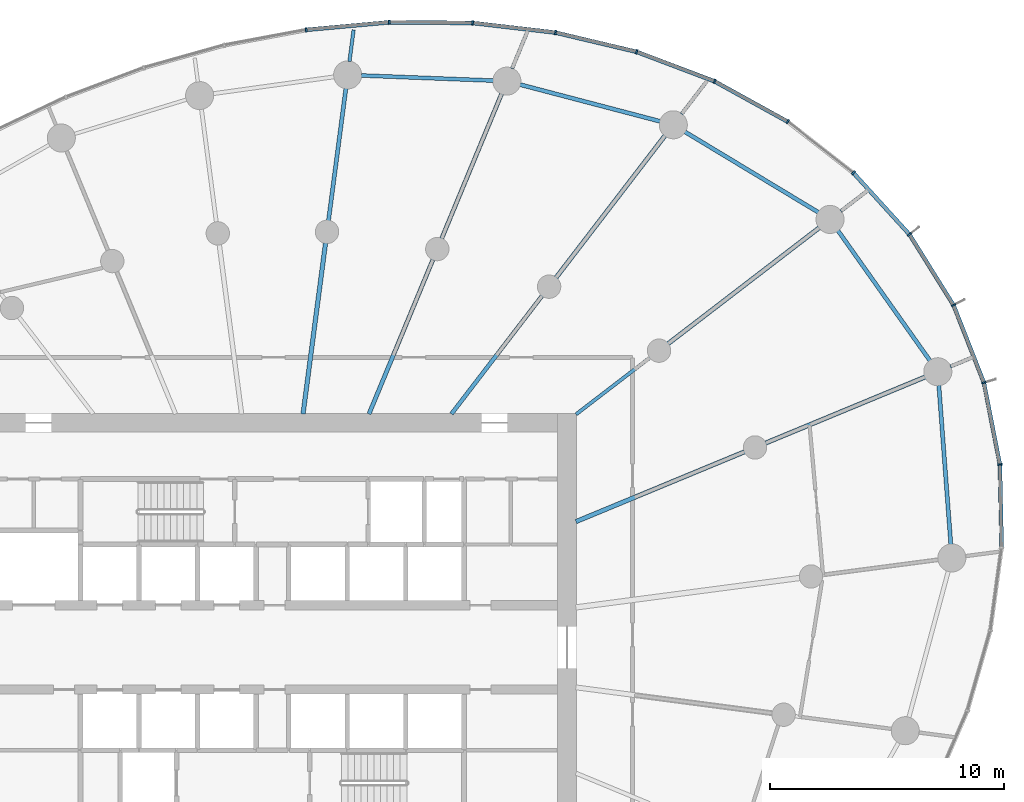
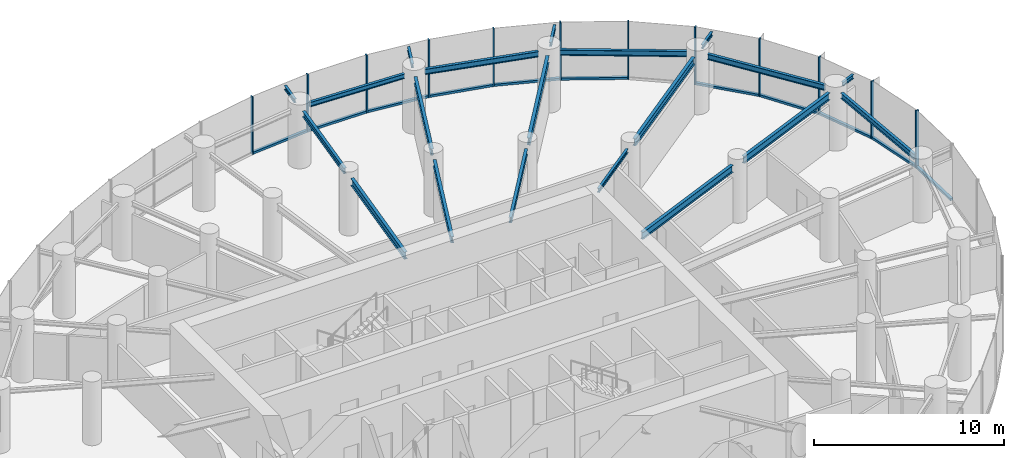
# One storey, part 7 of 17: 23 members, 20 beams, 3 elements without a shape of their own.
"""IFC4 building model written with IfcOpenShell, lengths in metres."""

from ifc_helpers import new_model, si_unit, direction, frame, origin, origin_2d, place, context, subcontext, project, spatial, rectangle, i_section, extrude, source, transform, mapped, material, layer, layer_set, material_profile, profile_set, type_object, element, aggregate, save


model = new_model("IFC4")

# Units and contexts
model_context = context("Model", 3, precision=1e-05, world=origin(), true_north=direction((0.0, 1.0)))
body_context = subcontext(model_context, "Body", "Model", "MODEL_VIEW")
ifc_project = project(units=[si_unit("LENGTHUNIT", "METRE"), si_unit("AREAUNIT", "SQUARE_METRE"), si_unit("VOLUMEUNIT", "CUBIC_METRE"), si_unit("PLANEANGLEUNIT", "RADIAN"), si_unit("MASSUNIT", "GRAM", prefix="KILO")], contexts=[model_context])

# Site, building, storey
site_placement = place(None, origin())
site = spatial("IfcSite", under=ifc_project, at=site_placement, CompositionType="ELEMENT")
building_placement = place(site_placement, origin())
building = spatial("IfcBuilding", under=site, at=building_placement, Name="Spindrift Exchange Tower", CompositionType="ELEMENT")
storey_placement = place(building_placement, frame((0.0, 0.0, 104.39990234375)))
storey = spatial("IfcBuildingStorey", under=building, at=storey_placement, Name="L24", CompositionType="ELEMENT", Elevation=104.39990234375)

# Beams
ifc_material_1 = material(Name="Steel Grade 300", Category="steel")
ifc_material_profile_1 = material_profile(ifc_material_1, i_section(OverallWidth=0.18994140625, OverallDepth=0.45703125, WebThickness=0.009033203125, FlangeThickness=0.014404296875, FilletRadius=0.013916015625, at=origin_2d()), Name="460UB74.6")
ifc_profile_set_1 = profile_set([ifc_material_profile_1], Name="Steel Grade 300")
beam_type_1 = type_object("IfcBeamType", Name="Floor Beam 460UB74.6 Steel Grade 300", PredefinedType="BEAM", material=ifc_profile_set_1)
shared_shape_1 = source(origin(), body_context, "Body", "SweptSolid", [
    extrude(i_section(OverallWidth=0.18994140625, OverallDepth=0.45703125, WebThickness=0.009033203125, FlangeThickness=0.014404296875, FilletRadius=0.013916015625, at=origin_2d()), origin(), (0.0, 0.0, 1.0), 7.808837890625),
])
beam_1_placement = place(storey_placement, frame((64.9814453125, 53.377197265625, 3.4716796875), z_axis=(0.92387965154, 0.382683145003, 0.0), x_axis=(-0.382683145003, 0.92387965154, 0.0)))
element("IfcBeam", 1, at=beam_1_placement, inside=storey, type_object=beam_type_1, Name="L24 radial beam R02A", PredefinedType="BEAM", context=body_context, shape_type="MappedRepresentation", body=[
    mapped(shared_shape_1, transform((0.0, 0.0, 0.0), scale=1.0)),
])
ifc_material_profile_2 = material_profile(ifc_material_1, i_section(OverallWidth=0.14599609375, OverallDepth=0.251953125, WebThickness=0.006103515625, FlangeThickness=0.008544921875, FilletRadius=0.011962890625, at=origin_2d()), Name="250UB31.4")
ifc_profile_set_2 = profile_set([ifc_material_profile_2], Name="Steel Grade 300")
beam_type_2 = type_object("IfcBeamType", Name="Floor Beam 250UB31.4 Steel Grade 300", PredefinedType="BEAM", material=ifc_profile_set_2)
shared_shape_2 = source(origin(), body_context, "Body", "SweptSolid", [
    extrude(i_section(OverallWidth=0.14599609375, OverallDepth=0.251953125, WebThickness=0.006103515625, FlangeThickness=0.008544921875, FilletRadius=0.011962890625, at=origin_2d()), origin(), (0.0, 0.0, 1.0), 3.99560546875),
])
beam_2_placement = place(storey_placement, frame((64.984130859375, 57.963134765625, 3.57421875), z_axis=(0.793352561574, 0.608762443851, 0.0), x_axis=(-0.608762443851, 0.793352561574, 0.0)))
element("IfcBeam", 2, at=beam_2_placement, inside=storey, type_object=beam_type_2, Name="L24 radial beam R03A", PredefinedType="BEAM", context=body_context, shape_type="MappedRepresentation", body=[
    mapped(shared_shape_2, transform((0.0, 0.0, 0.0), scale=1.0)),
])
ifc_material_profile_3 = material_profile(ifc_material_1, i_section(OverallWidth=0.172119140625, OverallDepth=0.35888671875, WebThickness=0.008056640625, FlangeThickness=0.012939453125, FilletRadius=0.013916015625, at=origin_2d()), Name="360UB56.7")
ifc_profile_set_3 = profile_set([ifc_material_profile_3], Name="Steel Grade 300")
beam_type_3 = type_object("IfcBeamType", Name="Floor Beam 360UB56.7 Steel Grade 300", PredefinedType="BEAM", material=ifc_profile_set_3)
shared_shape_3 = source(origin(), body_context, "Body", "SweptSolid", [
    extrude(i_section(OverallWidth=0.172119140625, OverallDepth=0.35888671875, WebThickness=0.008056640625, FlangeThickness=0.012939453125, FilletRadius=0.013916015625, at=origin_2d()), origin(), (0.0, 0.0, 1.0), 6.37646484375),
])
beam_3_placement = place(storey_placement, frame((59.6611328125, 57.984130859375, 3.5205078125), z_axis=(0.608766669952, 0.793349318747, 0.0), x_axis=(-0.793349318747, 0.608766669952, 0.0)))
element("IfcBeam", 3, at=beam_3_placement, inside=storey, type_object=beam_type_3, Name="L24 radial beam R04A", PredefinedType="BEAM", context=body_context, shape_type="MappedRepresentation", body=[
    mapped(shared_shape_3, transform((0.0, 0.0, 0.0), scale=1.0)),
])
ifc_material_profile_4 = material_profile(ifc_material_1, i_section(OverallWidth=0.177978515625, OverallDepth=0.406005859375, WebThickness=0.0078125, FlangeThickness=0.0126953125, FilletRadius=0.013916015625, at=origin_2d()), Name="410UB59.7")
ifc_profile_set_4 = profile_set([ifc_material_profile_4], Name="Steel Grade 300")
beam_type_4 = type_object("IfcBeamType", Name="Floor Beam 410UB59.7 Steel Grade 300", PredefinedType="BEAM", material=ifc_profile_set_4)
shared_shape_4 = source(origin(), body_context, "Body", "SweptSolid", [
    extrude(i_section(OverallWidth=0.177978515625, OverallDepth=0.406005859375, WebThickness=0.0078125, FlangeThickness=0.0126953125, FilletRadius=0.013916015625, at=origin_2d()), origin(), (0.0, 0.0, 1.0), 7.150634765625),
])
beam_4_placement = place(storey_placement, frame((56.134521484375, 57.9814453125, 3.4970703125), z_axis=(0.382665393358, 0.923887004306, 0.0), x_axis=(-0.923887004306, 0.382665393358, 0.0)))
element("IfcBeam", 4, at=beam_4_placement, inside=storey, type_object=beam_type_4, Name="L24 radial beam R05A", PredefinedType="BEAM", context=body_context, shape_type="MappedRepresentation", body=[
    mapped(shared_shape_4, transform((0.0, 0.0, 0.0), scale=1.0)),
])
shared_shape_5 = source(origin(), body_context, "Body", "SweptSolid", [
    extrude(i_section(OverallWidth=0.18994140625, OverallDepth=0.45703125, WebThickness=0.009033203125, FlangeThickness=0.014404296875, FilletRadius=0.013916015625, at=origin_2d()), origin(), (0.0, 0.0, 1.0), 7.374267578125),
])
beam_5_placement = place(storey_placement, frame((53.31396484375, 57.980224609375, 3.4716796875), z_axis=(0.130539295622, 0.99144313619, 0.0), x_axis=(-0.99144313619, 0.130539295622, 0.0)))
element("IfcBeam", 5, at=beam_5_placement, inside=storey, type_object=beam_type_1, Name="L24 radial beam R06A", PredefinedType="BEAM", context=body_context, shape_type="MappedRepresentation", body=[
    mapped(shared_shape_5, transform((0.0, 0.0, 0.0), scale=1.0)),
])
shared_shape_6 = source(origin(), body_context, "Body", "SweptSolid", [
    extrude(i_section(OverallWidth=0.18994140625, OverallDepth=0.45703125, WebThickness=0.009033203125, FlangeThickness=0.014404296875, FilletRadius=0.013916015625, at=origin_2d()), origin(), (0.0, 0.0, 1.0), 7.400146484375),
])
beam_6_placement = place(storey_placement, frame((73.082763671875, 56.73291015625, 3.4716796875), z_axis=(0.923886957755, 0.382665505749, 0.0), x_axis=(-0.382665505749, 0.923886957755, 0.0)))
element("IfcBeam", 6, at=beam_6_placement, inside=storey, type_object=beam_type_1, Name="L24 radial beam R02B", PredefinedType="BEAM", context=body_context, shape_type="MappedRepresentation", body=[
    mapped(shared_shape_6, transform((0.0, 0.0, 0.0), scale=1.0)),
])
shared_shape_7 = source(origin(), body_context, "Body", "SweptSolid", [
    extrude(i_section(OverallWidth=0.18994140625, OverallDepth=0.45703125, WebThickness=0.009033203125, FlangeThickness=0.014404296875, FilletRadius=0.013916015625, at=origin_2d()), origin(), (0.0, 0.0, 1.0), 8.158447265625),
])
beam_7_placement = place(storey_placement, frame((68.91552734375, 60.979736328125, 3.4716796875), z_axis=(0.793358732539, 0.608754401631, 0.0), x_axis=(-0.608754401631, 0.793358732539, 0.0)))
element("IfcBeam", 7, at=beam_7_placement, inside=storey, type_object=beam_type_1, Name="L24 radial beam R03B", PredefinedType="BEAM", context=body_context, shape_type="MappedRepresentation", body=[
    mapped(shared_shape_7, transform((0.0, 0.0, 0.0), scale=1.0)),
])
shared_shape_8 = source(origin(), body_context, "Body", "SweptSolid", [
    extrude(i_section(OverallWidth=0.18994140625, OverallDepth=0.45703125, WebThickness=0.009033203125, FlangeThickness=0.014404296875, FilletRadius=0.013916015625, at=origin_2d()), origin(), (0.0, 0.0, 1.0), 7.663818359375),
])
beam_8_placement = place(storey_placement, frame((64.127197265625, 63.8046875, 3.4716796875), z_axis=(0.608771227503, 0.793345821546, 0.0), x_axis=(-0.793345821546, 0.608771227503, 0.0)))
element("IfcBeam", 8, at=beam_8_placement, inside=storey, type_object=beam_type_1, Name="L24 radial beam R04B", PredefinedType="BEAM", context=body_context, shape_type="MappedRepresentation", body=[
    mapped(shared_shape_8, transform((0.0, 0.0, 0.0), scale=1.0)),
])
shared_shape_9 = source(origin(), body_context, "Body", "SweptSolid", [
    extrude(i_section(OverallWidth=0.177978515625, OverallDepth=0.406005859375, WebThickness=0.0078125, FlangeThickness=0.0126953125, FilletRadius=0.013916015625, at=origin_2d()), origin(), (0.0, 0.0, 1.0), 6.71240234375),
])
beam_9_placement = place(storey_placement, frame((59.23828125, 65.474853515625, 3.4970703125), z_axis=(0.382669812754, 0.923885173821, 0.0), x_axis=(-0.923885173821, 0.382669812754, 0.0)))
element("IfcBeam", 9, at=beam_9_placement, inside=storey, type_object=beam_type_4, Name="L24 radial beam R05B", PredefinedType="BEAM", context=body_context, shape_type="MappedRepresentation", body=[
    mapped(shared_shape_9, transform((0.0, 0.0, 0.0), scale=1.0)),
])
shared_shape_10 = source(origin(), body_context, "Body", "SweptSolid", [
    extrude(i_section(OverallWidth=0.172119140625, OverallDepth=0.35888671875, WebThickness=0.008056640625, FlangeThickness=0.012939453125, FilletRadius=0.013916015625, at=origin_2d()), origin(), (0.0, 0.0, 1.0), 5.70751953125),
])
beam_10_placement = place(storey_placement, frame((54.40185546875, 66.2431640625, 3.5205078125), z_axis=(0.130507624881, 0.991447305634, 0.0), x_axis=(-0.991447305634, 0.130507624881, 0.0)))
element("IfcBeam", 10, at=beam_10_placement, inside=storey, type_object=beam_type_3, Name="L24 radial beam R06B", PredefinedType="BEAM", context=body_context, shape_type="MappedRepresentation", body=[
    mapped(shared_shape_10, transform((0.0, 0.0, 0.0), scale=1.0)),
])
ifc_material_profile_5 = material_profile(ifc_material_1, i_section(OverallWidth=0.172119140625, OverallDepth=0.35888671875, WebThickness=0.008056640625, FlangeThickness=0.012939453125, FilletRadius=0.013916015625, at=origin_2d()), Name="360UB56.7")
ifc_profile_set_5 = profile_set([ifc_material_profile_5], Name="Steel Grade 300")
beam_type_5 = type_object("IfcBeamType", Name="Edge Beam 360UB56.7 Steel Grade 300", PredefinedType="SPANDREL", material=ifc_profile_set_5)
shared_shape_11 = source(origin(), body_context, "Body", "SweptSolid", [
    extrude(i_section(OverallWidth=0.172119140625, OverallDepth=0.35888671875, WebThickness=0.008056640625, FlangeThickness=0.012939453125, FilletRadius=0.013916015625, at=origin_2d()), origin(), (0.0, 0.0, 1.0), 6.82373046875),
])
beam_11_placement = place(storey_placement, frame((81.0126953125, 52.40380859375, 3.5205078125), z_axis=(-0.075276463877, 0.997162701863, 0.0), x_axis=(-0.997162701863, -0.075276463877, 0.0)))
element("IfcBeam", 11, at=beam_11_placement, inside=storey, type_object=beam_type_5, Name="L24 edge beam E01", PredefinedType="SPANDREL", context=body_context, shape_type="MappedRepresentation", body=[
    mapped(shared_shape_11, transform((0.0, 0.0, 0.0), scale=1.0)),
])
shared_shape_12 = source(origin(), body_context, "Body", "SweptSolid", [
    extrude(i_section(OverallWidth=0.172119140625, OverallDepth=0.35888671875, WebThickness=0.008056640625, FlangeThickness=0.012939453125, FilletRadius=0.013916015625, at=origin_2d()), origin(), (0.0, 0.0, 1.0), 6.81787109375),
])
beam_12_placement = place(storey_placement, frame((80.12060546875, 60.260009765625, 3.5205078125), z_axis=(-0.577526426198, 0.816371990604, 0.0), x_axis=(-0.816371990604, -0.577526426198, 0.0)))
element("IfcBeam", 12, at=beam_12_placement, inside=storey, type_object=beam_type_5, Name="L24 edge beam E02", PredefinedType="SPANDREL", context=body_context, shape_type="MappedRepresentation", body=[
    mapped(shared_shape_12, transform((0.0, 0.0, 0.0), scale=1.0)),
])
shared_shape_13 = source(origin(), body_context, "Body", "SweptSolid", [
    extrude(i_section(OverallWidth=0.172119140625, OverallDepth=0.35888671875, WebThickness=0.008056640625, FlangeThickness=0.012939453125, FilletRadius=0.013916015625, at=origin_2d()), origin(), (0.0, 0.0, 1.0), 6.668701171875),
])
beam_13_placement = place(storey_placement, frame((75.3515625, 66.59912109375, 3.5205078125), z_axis=(-0.856133207479, 0.516755194508, 0.0), x_axis=(-0.516755194508, -0.856133207479, 0.0)))
element("IfcBeam", 13, at=beam_13_placement, inside=storey, type_object=beam_type_5, Name="L24 edge beam E03", PredefinedType="SPANDREL", context=body_context, shape_type="MappedRepresentation", body=[
    mapped(shared_shape_13, transform((0.0, 0.0, 0.0), scale=1.0)),
])
shared_shape_14 = source(origin(), body_context, "Body", "SweptSolid", [
    extrude(i_section(OverallWidth=0.172119140625, OverallDepth=0.35888671875, WebThickness=0.008056640625, FlangeThickness=0.012939453125, FilletRadius=0.013916015625, at=origin_2d()), origin(), (0.0, 0.0, 1.0), 6.197509765625),
])
beam_14_placement = place(storey_placement, frame((68.584716796875, 70.491943359375, 3.5205078125), z_axis=(-0.967254420813, 0.253808757567, 0.0), x_axis=(-0.253808757567, -0.967254420813, 0.0)))
element("IfcBeam", 14, at=beam_14_placement, inside=storey, type_object=beam_type_5, Name="L24 edge beam E04", PredefinedType="SPANDREL", context=body_context, shape_type="MappedRepresentation", body=[
    mapped(shared_shape_14, transform((0.0, 0.0, 0.0), scale=1.0)),
])
ifc_material_profile_6 = material_profile(ifc_material_1, i_section(OverallWidth=0.1650390625, OverallDepth=0.303955078125, WebThickness=0.006103515625, FlangeThickness=0.01025390625, FilletRadius=0.011474609375, at=origin_2d()), Name="310UB40.4")
ifc_profile_set_6 = profile_set([ifc_material_profile_6], Name="Steel Grade 300")
beam_type_6 = type_object("IfcBeamType", Name="Edge Beam 310UB40.4 Steel Grade 300", PredefinedType="SPANDREL", material=ifc_profile_set_6)
shared_shape_15 = source(origin(), body_context, "Body", "SweptSolid", [
    extrude(i_section(OverallWidth=0.1650390625, OverallDepth=0.303955078125, WebThickness=0.006103515625, FlangeThickness=0.01025390625, FilletRadius=0.011474609375, at=origin_2d()), origin(), (0.0, 0.0, 1.0), 5.65185546875),
])
beam_15_placement = place(storey_placement, frame((61.449462890625, 72.234619140625, 3.548095703125), z_axis=(-0.99924397539, 0.038877726865, 0.0), x_axis=(-0.038877726865, -0.99924397539, 0.0)))
element("IfcBeam", 15, at=beam_15_placement, inside=storey, type_object=beam_type_6, Name="L24 edge beam E05", PredefinedType="SPANDREL", context=body_context, shape_type="MappedRepresentation", body=[
    mapped(shared_shape_15, transform((0.0, 0.0, 0.0), scale=1.0)),
])
ifc_material_profile_7 = material_profile(ifc_material_1, i_section(OverallWidth=0.14599609375, OverallDepth=0.251953125, WebThickness=0.006103515625, FlangeThickness=0.008544921875, FilletRadius=0.011962890625, at=origin_2d()), Name="250UB31.4")
ifc_profile_set_7 = profile_set([ifc_material_profile_7], Name="Steel Grade 300")
beam_type_7 = type_object("IfcBeamType", Name="Cantilever Beam 250UB31.4 Steel Grade 300", PredefinedType="BEAM", material=ifc_profile_set_7)
shared_shape_16 = source(origin(), body_context, "Body", "SweptSolid", [
    extrude(i_section(OverallWidth=0.14599609375, OverallDepth=0.251953125, WebThickness=0.006103515625, FlangeThickness=0.008544921875, FilletRadius=0.011962890625, at=origin_2d()), origin(), (0.0, 0.0, 1.0), 0.9267578125),
])
beam_16_placement = place(storey_placement, frame((80.9912109375, 60.008544921875, 3.57421875), z_axis=(0.923846648553, 0.382762811619, 0.0), x_axis=(-0.382762811619, 0.923846648553, 0.0)))
element("IfcBeam", 16, at=beam_16_placement, inside=storey, type_object=beam_type_7, Name="L24 cantilever beam R02T", PredefinedType="BEAM", context=body_context, shape_type="MappedRepresentation", body=[
    mapped(shared_shape_16, transform((0.0, 0.0, 0.0), scale=1.0)),
])
shared_shape_17 = source(origin(), body_context, "Body", "SweptSolid", [
    extrude(i_section(OverallWidth=0.14599609375, OverallDepth=0.251953125, WebThickness=0.006103515625, FlangeThickness=0.008544921875, FilletRadius=0.011962890625, at=origin_2d()), origin(), (0.0, 0.0, 1.0), 1.33740234375),
])
beam_17_placement = place(storey_placement, frame((76.308349609375, 66.652587890625, 3.57421875), z_axis=(0.793424144756, 0.608669143722, 0.0), x_axis=(-0.608669143722, 0.793424144756, 0.0)))
element("IfcBeam", 17, at=beam_17_placement, inside=storey, type_object=beam_type_7, Name="L24 cantilever beam R03T", PredefinedType="BEAM", context=body_context, shape_type="MappedRepresentation", body=[
    mapped(shared_shape_17, transform((0.0, 0.0, 0.0), scale=1.0)),
])
shared_shape_18 = source(origin(), body_context, "Body", "SweptSolid", [
    extrude(i_section(OverallWidth=0.14599609375, OverallDepth=0.251953125, WebThickness=0.006103515625, FlangeThickness=0.008544921875, FilletRadius=0.011962890625, at=origin_2d()), origin(), (0.0, 0.0, 1.0), 1.67724609375),
])
beam_18_placement = place(storey_placement, frame((69.498779296875, 70.804931640625, 3.57421875), z_axis=(0.608767651561, 0.79334856552, 0.0), x_axis=(-0.79334856552, 0.608767651561, 0.0)))
element("IfcBeam", 18, at=beam_18_placement, inside=storey, type_object=beam_type_7, Name="L24 cantilever beam R04T", PredefinedType="BEAM", context=body_context, shape_type="MappedRepresentation", body=[
    mapped(shared_shape_18, transform((0.0, 0.0, 0.0), scale=1.0)),
])
shared_shape_19 = source(origin(), body_context, "Body", "SweptSolid", [
    extrude(i_section(OverallWidth=0.14599609375, OverallDepth=0.251953125, WebThickness=0.006103515625, FlangeThickness=0.008544921875, FilletRadius=0.011962890625, at=origin_2d()), origin(), (0.0, 0.0, 1.0), 1.62890625),
])
beam_19_placement = place(storey_placement, frame((62.2509765625, 72.748046875, 3.57421875), z_axis=(0.382656259044, 0.923890787601, 0.0), x_axis=(-0.923890787601, 0.382656259044, 0.0)))
element("IfcBeam", 19, at=beam_19_placement, inside=storey, type_object=beam_type_7, Name="L24 cantilever beam R05T", PredefinedType="BEAM", context=body_context, shape_type="MappedRepresentation", body=[
    mapped(shared_shape_19, transform((0.0, 0.0, 0.0), scale=1.0)),
])
shared_shape_20 = source(origin(), body_context, "Body", "SweptSolid", [
    extrude(i_section(OverallWidth=0.14599609375, OverallDepth=0.251953125, WebThickness=0.006103515625, FlangeThickness=0.008544921875, FilletRadius=0.011962890625, at=origin_2d()), origin(), (0.0, 0.0, 1.0), 1.366943359375),
])
beam_20_placement = place(storey_placement, frame((55.298095703125, 73.0517578125, 3.57421875), z_axis=(0.130560775534, 0.991440307781, 0.0), x_axis=(-0.991440307781, 0.130560775534, 0.0)))
element("IfcBeam", 20, at=beam_20_placement, inside=storey, type_object=beam_type_7, Name="L24 cantilever beam R06T", PredefinedType="BEAM", context=body_context, shape_type="MappedRepresentation", body=[
    mapped(shared_shape_20, transform((0.0, 0.0, 0.0), scale=1.0)),
])

# Curtain wall, members
ifc_material_2 = material(Name="Fritted laminated glass with bronze frame", Category="glass")
ifc_layer = layer(ifc_material_2, 0.18994140625)
ifc_layer_set = layer_set([ifc_layer], Name="ZONE 2 BRONZE FRITTED WALL")
curtain_wall_type = type_object("IfcCurtainWallType", Name="ZONE 2 BRONZE FRITTED WALL", PredefinedType="NOTDEFINED", material=ifc_layer_set)
curtain_wall_1_placement = place(storey_placement, origin())
curtain_wall_1 = element("IfcCurtainWall", 21, at=curtain_wall_1_placement, inside=storey, type_object=curtain_wall_type, Name="L24 Zone 2 Bronze Fritted Wall run 2", PredefinedType="NOTDEFINED")
ifc_material_3 = material(Name="Bronze anodised aluminium", Category="aluminium")
ifc_material_profile_8 = material_profile(ifc_material_3, rectangle(XDim=0.169921875, YDim=0.139892578125, at=origin_2d()), Name="ZONE 2 BRONZE FRITTED WALL TRANSOM 170X140")
ifc_profile_set_8 = profile_set([ifc_material_profile_8], Name="Bronze anodised aluminium")
member_type_1 = type_object("IfcMemberType", Name="ZONE 2 BRONZE FRITTED WALL TRANSOM 170X140", PredefinedType="USERDEFINED", material=ifc_profile_set_8)
shared_shape_21 = source(origin(), body_context, "Body", "SweptSolid", [
    extrude(rectangle(XDim=0.169921875, YDim=0.139892578125, at=origin_2d()), origin(), (0.0, 0.0, 1.0), 3.4912109375),
])
member_1_placement = place(storey_placement, frame((60.5283203125, 74.7001953125, 0.070068359375), z_axis=(-0.999964787389, 0.008391899747, 0.0), x_axis=(-0.008391899747, -0.999964787389, 0.0)))
member_1 = element("IfcMember", 22, at=member_1_placement, type_object=member_type_1, Name="L24 transom CW-2.8", ObjectType="TRANSOM", PredefinedType="USERDEFINED", context=body_context, shape_type="MappedRepresentation", body=[
    mapped(shared_shape_21, transform((0.0, 0.0, 0.0), scale=1.0)),
])
member_2_placement = place(storey_placement, frame((56.96240234375, 74.726318359375, 0.070068359375), z_axis=(-0.995852985711, -0.090977089699, 0.0), x_axis=(0.090977089699, -0.995852985711, 0.0)))
member_2 = element("IfcMember", 23, at=member_2_placement, type_object=member_type_1, Name="L24 transom CW-2.9", ObjectType="TRANSOM", PredefinedType="USERDEFINED", context=body_context, shape_type="MappedRepresentation", body=[
    mapped(shared_shape_21, transform((0.0, 0.0, 0.0), scale=1.0)),
])

curtain_wall_2_placement = place(storey_placement, origin())
curtain_wall_2 = element("IfcCurtainWall", 24, at=curtain_wall_2_placement, inside=storey, type_object=curtain_wall_type, Name="L24 Zone 2 Bronze Fritted Wall run 9", PredefinedType="NOTDEFINED")
shared_shape_22 = source(origin(), body_context, "Body", "SweptSolid", [
    extrude(rectangle(XDim=0.169921875, YDim=0.139892578125, at=origin_2d()), origin(), (0.0, 0.0, 1.0), 3.48828125),
])
member_3_placement = place(storey_placement, frame((83.10302734375, 55.856689453125, 0.070068359375), z_axis=(-0.191564627011, 0.98148000167, 0.0), x_axis=(-0.98148000167, -0.191564627011, 0.0)))
member_3 = element("IfcMember", 25, at=member_3_placement, type_object=member_type_1, Name="L24 transom CW-2.50", ObjectType="TRANSOM", PredefinedType="USERDEFINED", context=body_context, shape_type="MappedRepresentation", body=[
    mapped(shared_shape_22, transform((0.0, 0.0, 0.0), scale=1.0)),
])
shared_shape_23 = source(origin(), body_context, "Body", "SweptSolid", [
    extrude(rectangle(XDim=0.169921875, YDim=0.139892578125, at=origin_2d()), origin(), (0.0, 0.0, 1.0), 3.487548828125),
])
member_4_placement = place(storey_placement, frame((82.413818359375, 59.35205078125, 0.070068359375), z_axis=(-0.364779393592, 0.931093977003, 0.0), x_axis=(-0.931093977003, -0.364779393592, 0.0)))
member_4 = element("IfcMember", 26, at=member_4_placement, type_object=member_type_1, Name="L24 transom CW-2.51", ObjectType="TRANSOM", PredefinedType="USERDEFINED", context=body_context, shape_type="MappedRepresentation", body=[
    mapped(shared_shape_23, transform((0.0, 0.0, 0.0), scale=1.0)),
])

curtain_wall_3_placement = place(storey_placement, origin())
curtain_wall_3 = element("IfcCurtainWall", 27, at=curtain_wall_3_placement, inside=storey, type_object=curtain_wall_type, Name="L24 Zone 2 Bronze Fritted Wall run 1", PredefinedType="NOTDEFINED")
shared_shape_24 = source(origin(), body_context, "Body", "SweptSolid", [
    extrude(rectangle(XDim=0.169921875, YDim=0.139892578125, at=origin_2d()), origin(), (0.0, 0.0, 1.0), 3.48779296875),
])
member_5_placement = place(storey_placement, frame((81.108154296875, 62.666015625, 0.070068359375), z_axis=(-0.529312959018, 0.848426656474, 0.0), x_axis=(-0.848426656474, -0.529312959018, 0.0)))
member_5 = element("IfcMember", 28, at=member_5_placement, type_object=member_type_1, Name="L24 transom CW-2.1", ObjectType="TRANSOM", PredefinedType="USERDEFINED", context=body_context, shape_type="MappedRepresentation", body=[
    mapped(shared_shape_24, transform((0.0, 0.0, 0.0), scale=1.0)),
])
shared_shape_25 = source(origin(), body_context, "Body", "SweptSolid", [
    extrude(rectangle(XDim=0.169921875, YDim=0.139892578125, at=origin_2d()), origin(), (0.0, 0.0, 1.0), 3.489501953125),
])
member_6_placement = place(storey_placement, frame((73.999267578125, 70.499755859375, 0.070068359375), z_axis=(-0.875451120497, 0.483306668297, 0.0), x_axis=(-0.483306668297, -0.875451120497, 0.0)))
member_6 = element("IfcMember", 29, at=member_6_placement, type_object=member_type_1, Name="L24 transom CW-2.4", ObjectType="TRANSOM", PredefinedType="USERDEFINED", context=body_context, shape_type="MappedRepresentation", body=[
    mapped(shared_shape_25, transform((0.0, 0.0, 0.0), scale=1.0)),
])
shared_shape_26 = source(origin(), body_context, "Body", "SweptSolid", [
    extrude(rectangle(XDim=0.169921875, YDim=0.139892578125, at=origin_2d()), origin(), (0.0, 0.0, 1.0), 3.49072265625),
])
member_7_placement = place(storey_placement, frame((67.540771484375, 73.474609375, 0.070068359375), z_axis=(-0.973032384919, 0.230668545534, 0.0), x_axis=(-0.230668545534, -0.973032384919, 0.0)))
member_7 = element("IfcMember", 30, at=member_7_placement, type_object=member_type_1, Name="L24 transom CW-2.6", ObjectType="TRANSOM", PredefinedType="USERDEFINED", context=body_context, shape_type="MappedRepresentation", body=[
    mapped(shared_shape_26, transform((0.0, 0.0, 0.0), scale=1.0)),
])
ifc_material_profile_9 = material_profile(ifc_material_3, rectangle(XDim=0.074951171875, YDim=0.18994140625, at=origin_2d()), Name="ZONE 2 BRONZE FRITTED WALL MULLION 75X190")
ifc_profile_set_9 = profile_set([ifc_material_profile_9], Name="Bronze anodised aluminium")
member_type_2 = type_object("IfcMemberType", Name="ZONE 2 BRONZE FRITTED WALL MULLION 75X190", PredefinedType="MULLION", material=ifc_profile_set_9)
shared_shape_27 = source(origin(), body_context, "Body", "SweptSolid", [
    extrude(rectangle(XDim=0.074951171875, YDim=0.18994140625, at=origin_2d()), origin(), (0.0, 0.0, 1.0), 3.7001953125),
])
member_8_placement = place(storey_placement, frame((81.1279296875, 62.63427734375, 0.0), z_axis=(0.0, 0.0, 1.0), x_axis=(-0.448948887755, 0.893557438659, 0.0)))
member_8 = element("IfcMember", 31, at=member_8_placement, type_object=member_type_2, Name="L24 mullion CW-2.1", PredefinedType="MULLION", context=body_context, shape_type="MappedRepresentation", body=[
    mapped(shared_shape_27, transform((0.0, 0.0, 0.0), scale=1.0)),
])
member_9_placement = place(storey_placement, frame((79.2421875, 65.656982421875, 0.0), z_axis=(0.0, 0.0, 1.0), x_axis=(-0.603649413144, 0.797249889314, 0.0)))
member_9 = element("IfcMember", 32, at=member_9_placement, type_object=member_type_2, Name="L24 mullion CW-2.2", PredefinedType="MULLION", context=body_context, shape_type="MappedRepresentation", body=[
    mapped(shared_shape_27, transform((0.0, 0.0, 0.0), scale=1.0)),
])
member_10_placement = place(storey_placement, frame((76.843994140625, 68.292236328125, 0.0), z_axis=(0.0, 0.0, 1.0), x_axis=(-0.73372505754, 0.679446495273, 0.0)))
member_10 = element("IfcMember", 33, at=member_10_placement, type_object=member_type_2, Name="L24 mullion CW-2.3", PredefinedType="MULLION", context=body_context, shape_type="MappedRepresentation", body=[
    mapped(shared_shape_27, transform((0.0, 0.0, 0.0), scale=1.0)),
])
member_11_placement = place(storey_placement, frame((74.031982421875, 70.481689453125, 0.0), z_axis=(0.0, 0.0, 1.0), x_axis=(-0.834806731882, 0.550543114029, 0.0)))
member_11 = element("IfcMember", 34, at=member_11_placement, type_object=member_type_2, Name="L24 mullion CW-2.4", PredefinedType="MULLION", context=body_context, shape_type="MappedRepresentation", body=[
    mapped(shared_shape_27, transform((0.0, 0.0, 0.0), scale=1.0)),
])
member_12_placement = place(storey_placement, frame((70.91162109375, 72.204345703125, 0.0), z_axis=(0.0, 0.0, 1.0), x_axis=(-0.907680674706, 0.419661521665, 0.0)))
member_12 = element("IfcMember", 35, at=member_12_placement, type_object=member_type_2, Name="L24 mullion CW-2.5", PredefinedType="MULLION", context=body_context, shape_type="MappedRepresentation", body=[
    mapped(shared_shape_27, transform((0.0, 0.0, 0.0), scale=1.0)),
])
member_13_placement = place(storey_placement, frame((67.577392578125, 73.466064453125, 0.0), z_axis=(0.0, 0.0, 1.0), x_axis=(-0.956149930334, 0.292877637797, 0.0)))
member_13 = element("IfcMember", 36, at=member_13_placement, type_object=member_type_2, Name="L24 mullion CW-2.6", PredefinedType="MULLION", context=body_context, shape_type="MappedRepresentation", body=[
    mapped(shared_shape_27, transform((0.0, 0.0, 0.0), scale=1.0)),
])

# Member
member_14_placement = place(storey_placement, frame((64.10791015625, 74.288330078125, 0.0), z_axis=(0.0, 0.0, 1.0), x_axis=(-0.984867616602, 0.173308331501, 0.0)))
member_14 = element("IfcMember", 37, at=member_14_placement, type_object=member_type_2, Name="L24 mullion CW-2.7", PredefinedType="MULLION", context=body_context, shape_type="MappedRepresentation", body=[
    mapped(shared_shape_27, transform((0.0, 0.0, 0.0), scale=1.0)),
])

member_15_placement = place(storey_placement, frame((60.56591796875, 74.69970703125, 0.0), z_axis=(0.0, 0.0, 1.0), x_axis=(-0.99807823572, 0.061966405271, 0.0)))
member_15 = element("IfcMember", 38, at=member_15_placement, type_object=member_type_2, Name="L24 mullion CW-2.8", PredefinedType="MULLION", context=body_context, shape_type="MappedRepresentation", body=[
    mapped(shared_shape_27, transform((0.0, 0.0, 0.0), scale=1.0)),
])

member_16_placement = place(storey_placement, frame((56.999755859375, 74.729736328125, 0.0), z_axis=(0.0, 0.0, 1.0), x_axis=(-0.999145749976, -0.041325177604, 0.0)))
member_16 = element("IfcMember", 39, at=member_16_placement, type_object=member_type_2, Name="L24 mullion CW-2.9", PredefinedType="MULLION", context=body_context, shape_type="MappedRepresentation", body=[
    mapped(shared_shape_27, transform((0.0, 0.0, 0.0), scale=1.0)),
])

member_17_placement = place(storey_placement, frame((53.4482421875, 74.405517578125, 0.0), z_axis=(0.0, 0.0, 1.0), x_axis=(-0.990519272236, -0.137373837862, 0.0)))
member_17 = element("IfcMember", 40, at=member_17_placement, type_object=member_type_2, Name="L24 mullion CW-2.10", PredefinedType="MULLION", context=body_context, shape_type="MappedRepresentation", body=[
    mapped(shared_shape_27, transform((0.0, 0.0, 0.0), scale=1.0)),
])

member_18_placement = place(storey_placement, frame((83.110107421875, 55.820068359375, 0.0), z_axis=(0.0, 0.0, 1.0), x_axis=(-0.107149898987, 0.994242877343, 0.0)))
member_18 = element("IfcMember", 41, at=member_18_placement, type_object=member_type_2, Name="L24 mullion CW-2.50", PredefinedType="MULLION", context=body_context, shape_type="MappedRepresentation", body=[
    mapped(shared_shape_27, transform((0.0, 0.0, 0.0), scale=1.0)),
])

member_19_placement = place(storey_placement, frame((82.427490234375, 59.317138671875, 0.0), z_axis=(0.0, 0.0, 1.0), x_axis=(-0.279315362604, 0.960199421065, 0.0)))
member_19 = element("IfcMember", 42, at=member_19_placement, type_object=member_type_2, Name="L24 mullion CW-2.51", PredefinedType="MULLION", context=body_context, shape_type="MappedRepresentation", body=[
    mapped(shared_shape_27, transform((0.0, 0.0, 0.0), scale=1.0)),
])

shared_shape_28 = source(origin(), body_context, "Body", "SweptSolid", [
    extrude(rectangle(XDim=0.169921875, YDim=0.139892578125, at=origin_2d()), origin(), (0.0, 0.0, 1.0), 3.490966796875),
])
member_20_placement = place(storey_placement, frame((64.070556640625, 74.292724609375, 0.070068359375), z_axis=(-0.993319503759, 0.115396548701, 0.0), x_axis=(-0.115396548701, -0.993319503759, 0.0)))
member_20 = element("IfcMember", 43, at=member_20_placement, type_object=member_type_1, Name="L24 transom CW-2.7", ObjectType="TRANSOM", PredefinedType="USERDEFINED", context=body_context, shape_type="MappedRepresentation", body=[
    mapped(shared_shape_28, transform((0.0, 0.0, 0.0), scale=1.0)),
])

aggregate(curtain_wall_1, [member_14, member_20, member_15, member_1, member_16, member_2, member_17])

shared_shape_29 = source(origin(), body_context, "Body", "SweptSolid", [
    extrude(rectangle(XDim=0.169921875, YDim=0.139892578125, at=origin_2d()), origin(), (0.0, 0.0, 1.0), 3.488525390625),
])
member_21_placement = place(storey_placement, frame((83.1875, 52.294677734375, 0.070068359375), z_axis=(-0.021974253157, 0.999758536947, 0.0), x_axis=(-0.999758536947, -0.021974253157, 0.0)))
member_21 = element("IfcMember", 44, at=member_21_placement, type_object=member_type_1, Name="L24 transom CW-2.49", ObjectType="TRANSOM", PredefinedType="USERDEFINED", context=body_context, shape_type="MappedRepresentation", body=[
    mapped(shared_shape_29, transform((0.0, 0.0, 0.0), scale=1.0)),
])

aggregate(curtain_wall_2, [member_21, member_18, member_3, member_19, member_4])

shared_shape_30 = source(origin(), body_context, "Body", "SweptSolid", [
    extrude(rectangle(XDim=0.169921875, YDim=0.139892578125, at=origin_2d()), origin(), (0.0, 0.0, 1.0), 3.488037109375),
])
member_22_placement = place(storey_placement, frame((79.217041015625, 65.684814453125, 0.070068359375), z_axis=(-0.67311511321, 0.739537723425, 0.0), x_axis=(-0.739537723425, -0.67311511321, 0.0)))
member_22 = element("IfcMember", 45, at=member_22_placement, type_object=member_type_1, Name="L24 transom CW-2.2", ObjectType="TRANSOM", PredefinedType="USERDEFINED", context=body_context, shape_type="MappedRepresentation", body=[
    mapped(shared_shape_30, transform((0.0, 0.0, 0.0), scale=1.0)),
])

shared_shape_31 = source(origin(), body_context, "Body", "SweptSolid", [
    extrude(rectangle(XDim=0.169921875, YDim=0.139892578125, at=origin_2d()), origin(), (0.0, 0.0, 1.0), 3.489990234375),
])
member_23_placement = place(storey_placement, frame((70.87646484375, 72.2177734375, 0.070068359375), z_axis=(-0.935307533023, 0.353835864026, 0.0), x_axis=(-0.353835864026, -0.935307533023, 0.0)))
member_23 = element("IfcMember", 46, at=member_23_placement, type_object=member_type_1, Name="L24 transom CW-2.5", ObjectType="TRANSOM", PredefinedType="USERDEFINED", context=body_context, shape_type="MappedRepresentation", body=[
    mapped(shared_shape_31, transform((0.0, 0.0, 0.0), scale=1.0)),
])

aggregate(curtain_wall_3, [member_8, member_5, member_9, member_22, member_10, member_11, member_6, member_12, member_23, member_13, member_7])

save(model, "model.ifc")
